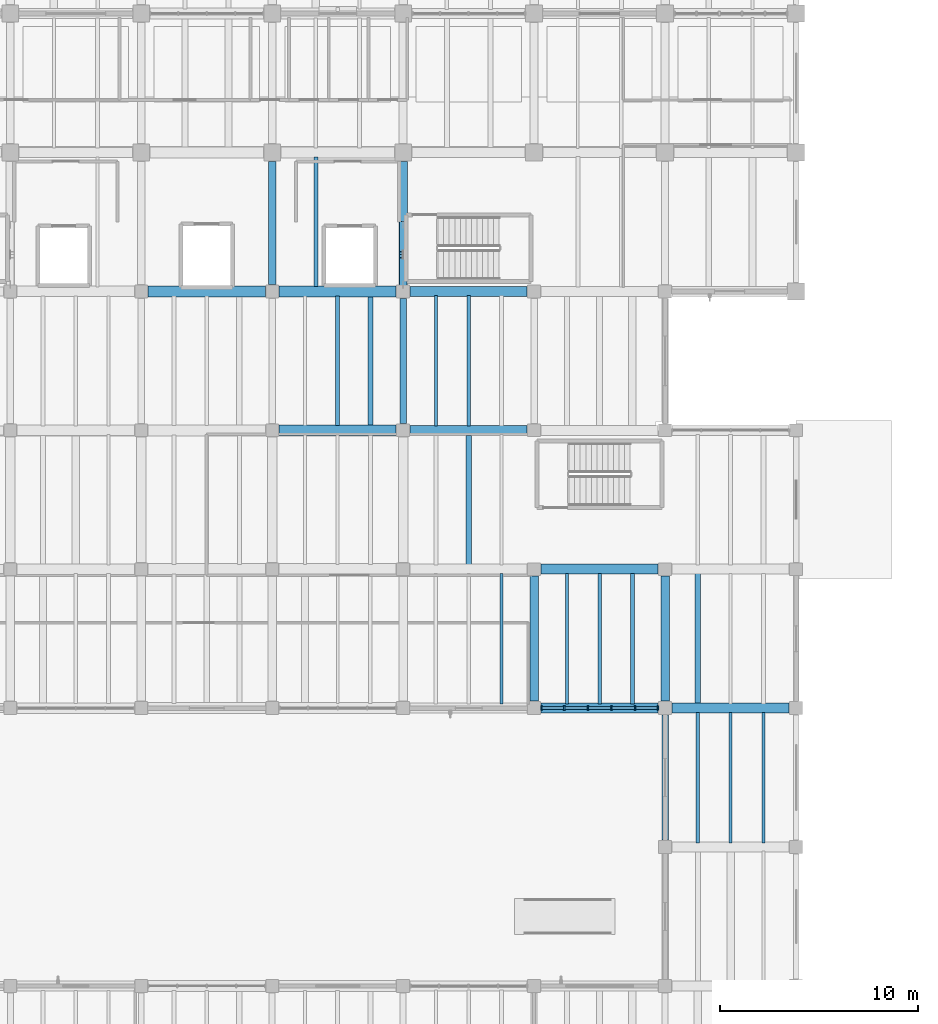
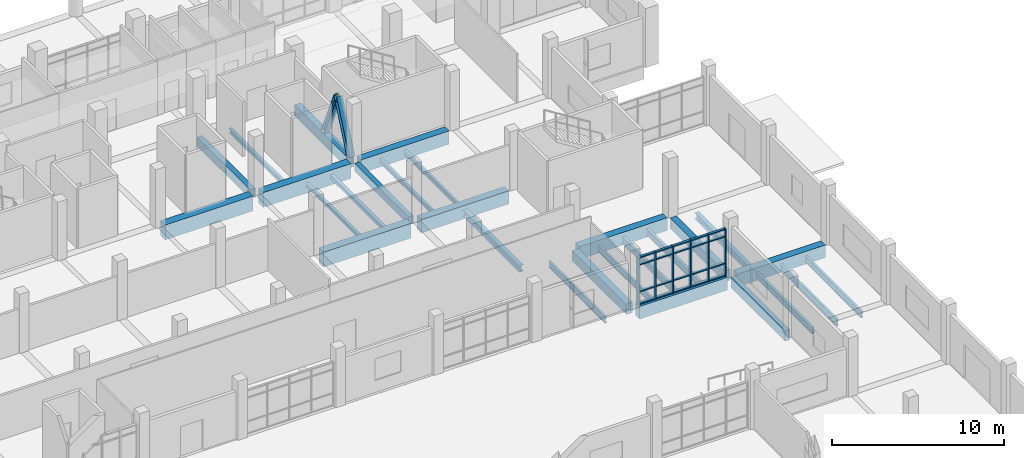
# One storey, part 26 of 69: 28 beams, 28 members, 1 element without a shape of its own.
"""IFC4 building model written with IfcOpenShell, lengths in metres."""

from ifc_helpers import new_model, si_unit, direction, frame, origin, origin_2d, place, context, subcontext, project, spatial, rectangle, i_section, extrude, material, material_profile, profile_set, type_object, element, aggregate, save


model = new_model("IFC4")

# Units and contexts
model_context = context("Model", 3, precision=1e-05, world=origin(), true_north=direction((0.0, 1.0)))
body_context = subcontext(model_context, "Body", "Model", "MODEL_VIEW")
ifc_project = project(units=[si_unit("LENGTHUNIT", "METRE"), si_unit("AREAUNIT", "SQUARE_METRE"), si_unit("VOLUMEUNIT", "CUBIC_METRE"), si_unit("PLANEANGLEUNIT", "RADIAN"), si_unit("MASSUNIT", "GRAM", prefix="KILO")], contexts=[model_context])

# Site, building, storey
site_placement = place(None, origin())
site = spatial("IfcSite", under=ifc_project, at=site_placement, CompositionType="ELEMENT")
building_placement = place(site_placement, origin())
building = spatial("IfcBuilding", under=site, at=building_placement, Name="Ciguamira Faculty of Natural Sciences", CompositionType="ELEMENT")
storey_placement = place(building_placement, origin())
storey = spatial("IfcBuildingStorey", under=building, at=storey_placement, Name="L00", CompositionType="ELEMENT", Elevation=0.0)

# Curtain wall, members
ifc_material_1 = material(Name="Anodized aluminium curtain wall", Category="aluminium")
curtain_wall_type = type_object("IfcCurtainWallType", Name="CurtainWall_CW-03", PredefinedType="USERDEFINED", material=ifc_material_1)
curtain_wall_placement = place(storey_placement, origin())
curtain_wall = element("IfcCurtainWall", 1, at=curtain_wall_placement, inside=storey, type_object=curtain_wall_type, Name="L00 unitised curtain wall 0015", ObjectType="UNITISED CURTAIN WALL", PredefinedType="USERDEFINED")
ifc_material_2 = material(Name="Anodized aluminium mullion", Category="aluminium")
ifc_material_profile_1 = material_profile(ifc_material_2, rectangle(XDim=0.080078125, YDim=0.219970703125, at=origin_2d()), Name="ALU-MUL-80X220")
ifc_profile_set_1 = profile_set([ifc_material_profile_1], Name="Anodized aluminium mullion")
member_type_1 = type_object("IfcMemberType", Name="CWMullion_CWM-03", PredefinedType="MULLION", material=ifc_profile_set_1)
member_1_placement = place(storey_placement, frame((103.864990234375, 73.0, 0.0), z_axis=(0.0, 0.0, 1.0), x_axis=(1.0, 0.0, 0.0)))
member_1 = element("IfcMember", 2, at=member_1_placement, type_object=member_type_1, Name="CW-03 mullion 1", PredefinedType="MULLION", context=body_context, shape_type="SweptSolid", body=[
    extrude(rectangle(XDim=0.080078125, YDim=0.219970703125, at=origin_2d()), origin(), (0.0, 0.0, 1.0), 3.364990234375),
])
member_2_placement = place(storey_placement, frame((105.014892578125, 73.0, 0.0), z_axis=(0.0, 0.0, 1.0), x_axis=(1.0, 0.0, 0.0)))
member_2 = element("IfcMember", 3, at=member_2_placement, type_object=member_type_1, Name="CW-03 mullion 2", PredefinedType="MULLION", context=body_context, shape_type="SweptSolid", body=[
    extrude(rectangle(XDim=0.080078125, YDim=0.219970703125, at=origin_2d()), origin(), (0.0, 0.0, 1.0), 3.364990234375),
])
member_3_placement = place(storey_placement, frame((106.205078125, 73.0, 0.0), z_axis=(0.0, 0.0, 1.0), x_axis=(1.0, 0.0, 0.0)))
member_3 = element("IfcMember", 4, at=member_3_placement, type_object=member_type_1, Name="CW-03 mullion 3", PredefinedType="MULLION", context=body_context, shape_type="SweptSolid", body=[
    extrude(rectangle(XDim=0.080078125, YDim=0.219970703125, at=origin_2d()), origin(), (0.0, 0.0, 1.0), 3.364990234375),
])
member_4_placement = place(storey_placement, frame((107.39501953125, 73.0, 0.0), z_axis=(0.0, 0.0, 1.0), x_axis=(1.0, 0.0, 0.0)))
member_4 = element("IfcMember", 5, at=member_4_placement, type_object=member_type_1, Name="CW-03 mullion 4", PredefinedType="MULLION", context=body_context, shape_type="SweptSolid", body=[
    extrude(rectangle(XDim=0.080078125, YDim=0.219970703125, at=origin_2d()), origin(), (0.0, 0.0, 1.0), 3.364990234375),
])
member_5_placement = place(storey_placement, frame((108.5849609375, 73.0, 0.0), z_axis=(0.0, 0.0, 1.0), x_axis=(1.0, 0.0, 0.0)))
member_5 = element("IfcMember", 6, at=member_5_placement, type_object=member_type_1, Name="CW-03 mullion 5", PredefinedType="MULLION", context=body_context, shape_type="SweptSolid", body=[
    extrude(rectangle(XDim=0.080078125, YDim=0.219970703125, at=origin_2d()), origin(), (0.0, 0.0, 1.0), 3.364990234375),
])
member_6_placement = place(storey_placement, frame((109.735107421875, 73.0, 0.0), z_axis=(0.0, 0.0, 1.0), x_axis=(1.0, 0.0, 0.0)))
member_6 = element("IfcMember", 7, at=member_6_placement, type_object=member_type_1, Name="CW-03 mullion 6", PredefinedType="MULLION", context=body_context, shape_type="SweptSolid", body=[
    extrude(rectangle(XDim=0.080078125, YDim=0.219970703125, at=origin_2d()), origin(), (0.0, 0.0, 1.0), 3.364990234375),
])
ifc_material_3 = material(Name="Anodized aluminium transom", Category="aluminium")
ifc_material_profile_2 = material_profile(ifc_material_3, rectangle(XDim=0.080078125, YDim=0.159912109375, at=origin_2d()), Name="ALU-TRN-80X160")
ifc_profile_set_2 = profile_set([ifc_material_profile_2], Name="Anodized aluminium transom")
member_type_2 = type_object("IfcMemberType", Name="CWTransom_CWT-03", PredefinedType="USERDEFINED", material=ifc_profile_set_2)
member_7_placement = place(storey_placement, frame((103.905029296875, 73.0, 0.0400390625), z_axis=(1.0, 0.0, 0.0), x_axis=(0.0, 0.0, 1.0)))
member_7 = element("IfcMember", 8, at=member_7_placement, type_object=member_type_2, Name="CW-03 transom 1.1", ObjectType="TRANSOM", PredefinedType="USERDEFINED", context=body_context, shape_type="SweptSolid", body=[
    extrude(rectangle(XDim=0.080078125, YDim=0.159912109375, at=origin_2d()), origin(), (0.0, 0.0, 1.0), 1.070068359375),
])
member_8_placement = place(storey_placement, frame((103.905029296875, 73.0, 0.89990234375), z_axis=(1.0, 0.0, 0.0), x_axis=(0.0, 0.0, 1.0)))
member_8 = element("IfcMember", 9, at=member_8_placement, type_object=member_type_2, Name="CW-03 transom 1.2", ObjectType="TRANSOM", PredefinedType="USERDEFINED", context=body_context, shape_type="SweptSolid", body=[
    extrude(rectangle(XDim=0.080078125, YDim=0.159912109375, at=origin_2d()), origin(), (0.0, 0.0, 1.0), 1.070068359375),
])
member_9_placement = place(storey_placement, frame((103.905029296875, 73.0, 2.81494140625), z_axis=(1.0, 0.0, 0.0), x_axis=(0.0, 0.0, 1.0)))
member_9 = element("IfcMember", 10, at=member_9_placement, type_object=member_type_2, Name="CW-03 transom 1.3", ObjectType="TRANSOM", PredefinedType="USERDEFINED", context=body_context, shape_type="SweptSolid", body=[
    extrude(rectangle(XDim=0.080078125, YDim=0.159912109375, at=origin_2d()), origin(), (0.0, 0.0, 1.0), 1.070068359375),
])
member_10_placement = place(storey_placement, frame((103.905029296875, 73.0, 3.324951171875), z_axis=(1.0, 0.0, 0.0), x_axis=(0.0, 0.0, 1.0)))
member_10 = element("IfcMember", 11, at=member_10_placement, type_object=member_type_2, Name="CW-03 transom 1.4", ObjectType="TRANSOM", PredefinedType="USERDEFINED", context=body_context, shape_type="SweptSolid", body=[
    extrude(rectangle(XDim=0.080078125, YDim=0.159912109375, at=origin_2d()), origin(), (0.0, 0.0, 1.0), 1.070068359375),
])
member_11_placement = place(storey_placement, frame((105.054931640625, 73.0, 0.0400390625), z_axis=(1.0, 0.0, 0.0), x_axis=(0.0, 0.0, 1.0)))
member_11 = element("IfcMember", 12, at=member_11_placement, type_object=member_type_2, Name="CW-03 transom 2.1", ObjectType="TRANSOM", PredefinedType="USERDEFINED", context=body_context, shape_type="SweptSolid", body=[
    extrude(rectangle(XDim=0.080078125, YDim=0.159912109375, at=origin_2d()), origin(), (0.0, 0.0, 1.0), 1.110107421875),
])
member_12_placement = place(storey_placement, frame((105.054931640625, 73.0, 0.89990234375), z_axis=(1.0, 0.0, 0.0), x_axis=(0.0, 0.0, 1.0)))
member_12 = element("IfcMember", 13, at=member_12_placement, type_object=member_type_2, Name="CW-03 transom 2.2", ObjectType="TRANSOM", PredefinedType="USERDEFINED", context=body_context, shape_type="SweptSolid", body=[
    extrude(rectangle(XDim=0.080078125, YDim=0.159912109375, at=origin_2d()), origin(), (0.0, 0.0, 1.0), 1.110107421875),
])
member_13_placement = place(storey_placement, frame((105.054931640625, 73.0, 2.81494140625), z_axis=(1.0, 0.0, 0.0), x_axis=(0.0, 0.0, 1.0)))
member_13 = element("IfcMember", 14, at=member_13_placement, type_object=member_type_2, Name="CW-03 transom 2.3", ObjectType="TRANSOM", PredefinedType="USERDEFINED", context=body_context, shape_type="SweptSolid", body=[
    extrude(rectangle(XDim=0.080078125, YDim=0.159912109375, at=origin_2d()), origin(), (0.0, 0.0, 1.0), 1.110107421875),
])
member_14_placement = place(storey_placement, frame((105.054931640625, 73.0, 3.324951171875), z_axis=(1.0, 0.0, 0.0), x_axis=(0.0, 0.0, 1.0)))
member_14 = element("IfcMember", 15, at=member_14_placement, type_object=member_type_2, Name="CW-03 transom 2.4", ObjectType="TRANSOM", PredefinedType="USERDEFINED", context=body_context, shape_type="SweptSolid", body=[
    extrude(rectangle(XDim=0.080078125, YDim=0.159912109375, at=origin_2d()), origin(), (0.0, 0.0, 1.0), 1.110107421875),
])
member_15_placement = place(storey_placement, frame((106.2451171875, 73.0, 0.0400390625), z_axis=(1.0, 0.0, 0.0), x_axis=(0.0, 0.0, 1.0)))
member_15 = element("IfcMember", 16, at=member_15_placement, type_object=member_type_2, Name="CW-03 transom 3.1", ObjectType="TRANSOM", PredefinedType="USERDEFINED", context=body_context, shape_type="SweptSolid", body=[
    extrude(rectangle(XDim=0.080078125, YDim=0.159912109375, at=origin_2d()), origin(), (0.0, 0.0, 1.0), 1.10986328125),
])
member_16_placement = place(storey_placement, frame((106.2451171875, 73.0, 0.89990234375), z_axis=(1.0, 0.0, 0.0), x_axis=(0.0, 0.0, 1.0)))
member_16 = element("IfcMember", 17, at=member_16_placement, type_object=member_type_2, Name="CW-03 transom 3.2", ObjectType="TRANSOM", PredefinedType="USERDEFINED", context=body_context, shape_type="SweptSolid", body=[
    extrude(rectangle(XDim=0.080078125, YDim=0.159912109375, at=origin_2d()), origin(), (0.0, 0.0, 1.0), 1.10986328125),
])
member_17_placement = place(storey_placement, frame((106.2451171875, 73.0, 2.81494140625), z_axis=(1.0, 0.0, 0.0), x_axis=(0.0, 0.0, 1.0)))
member_17 = element("IfcMember", 18, at=member_17_placement, type_object=member_type_2, Name="CW-03 transom 3.3", ObjectType="TRANSOM", PredefinedType="USERDEFINED", context=body_context, shape_type="SweptSolid", body=[
    extrude(rectangle(XDim=0.080078125, YDim=0.159912109375, at=origin_2d()), origin(), (0.0, 0.0, 1.0), 1.10986328125),
])
member_18_placement = place(storey_placement, frame((106.2451171875, 73.0, 3.324951171875), z_axis=(1.0, 0.0, 0.0), x_axis=(0.0, 0.0, 1.0)))
member_18 = element("IfcMember", 19, at=member_18_placement, type_object=member_type_2, Name="CW-03 transom 3.4", ObjectType="TRANSOM", PredefinedType="USERDEFINED", context=body_context, shape_type="SweptSolid", body=[
    extrude(rectangle(XDim=0.080078125, YDim=0.159912109375, at=origin_2d()), origin(), (0.0, 0.0, 1.0), 1.10986328125),
])
member_19_placement = place(storey_placement, frame((107.43505859375, 73.0, 0.0400390625), z_axis=(1.0, 0.0, 0.0), x_axis=(0.0, 0.0, 1.0)))
member_19 = element("IfcMember", 20, at=member_19_placement, type_object=member_type_2, Name="CW-03 transom 4.1", ObjectType="TRANSOM", PredefinedType="USERDEFINED", context=body_context, shape_type="SweptSolid", body=[
    extrude(rectangle(XDim=0.080078125, YDim=0.159912109375, at=origin_2d()), origin(), (0.0, 0.0, 1.0), 1.10986328125),
])
member_20_placement = place(storey_placement, frame((107.43505859375, 73.0, 0.89990234375), z_axis=(1.0, 0.0, 0.0), x_axis=(0.0, 0.0, 1.0)))
member_20 = element("IfcMember", 21, at=member_20_placement, type_object=member_type_2, Name="CW-03 transom 4.2", ObjectType="TRANSOM", PredefinedType="USERDEFINED", context=body_context, shape_type="SweptSolid", body=[
    extrude(rectangle(XDim=0.080078125, YDim=0.159912109375, at=origin_2d()), origin(), (0.0, 0.0, 1.0), 1.10986328125),
])
member_21_placement = place(storey_placement, frame((107.43505859375, 73.0, 2.81494140625), z_axis=(1.0, 0.0, 0.0), x_axis=(0.0, 0.0, 1.0)))
member_21 = element("IfcMember", 22, at=member_21_placement, type_object=member_type_2, Name="CW-03 transom 4.3", ObjectType="TRANSOM", PredefinedType="USERDEFINED", context=body_context, shape_type="SweptSolid", body=[
    extrude(rectangle(XDim=0.080078125, YDim=0.159912109375, at=origin_2d()), origin(), (0.0, 0.0, 1.0), 1.10986328125),
])
member_22_placement = place(storey_placement, frame((107.43505859375, 73.0, 3.324951171875), z_axis=(1.0, 0.0, 0.0), x_axis=(0.0, 0.0, 1.0)))
member_22 = element("IfcMember", 23, at=member_22_placement, type_object=member_type_2, Name="CW-03 transom 4.4", ObjectType="TRANSOM", PredefinedType="USERDEFINED", context=body_context, shape_type="SweptSolid", body=[
    extrude(rectangle(XDim=0.080078125, YDim=0.159912109375, at=origin_2d()), origin(), (0.0, 0.0, 1.0), 1.10986328125),
])
member_23_placement = place(storey_placement, frame((108.625, 73.0, 0.0400390625), z_axis=(1.0, 0.0, 0.0), x_axis=(0.0, 0.0, 1.0)))
member_23 = element("IfcMember", 24, at=member_23_placement, type_object=member_type_2, Name="CW-03 transom 5.1", ObjectType="TRANSOM", PredefinedType="USERDEFINED", context=body_context, shape_type="SweptSolid", body=[
    extrude(rectangle(XDim=0.080078125, YDim=0.159912109375, at=origin_2d()), origin(), (0.0, 0.0, 1.0), 1.070068359375),
])
member_24_placement = place(storey_placement, frame((108.625, 73.0, 0.89990234375), z_axis=(1.0, 0.0, 0.0), x_axis=(0.0, 0.0, 1.0)))
member_24 = element("IfcMember", 25, at=member_24_placement, type_object=member_type_2, Name="CW-03 transom 5.2", ObjectType="TRANSOM", PredefinedType="USERDEFINED", context=body_context, shape_type="SweptSolid", body=[
    extrude(rectangle(XDim=0.080078125, YDim=0.159912109375, at=origin_2d()), origin(), (0.0, 0.0, 1.0), 1.070068359375),
])
member_25_placement = place(storey_placement, frame((108.625, 73.0, 2.81494140625), z_axis=(1.0, 0.0, 0.0), x_axis=(0.0, 0.0, 1.0)))
member_25 = element("IfcMember", 26, at=member_25_placement, type_object=member_type_2, Name="CW-03 transom 5.3", ObjectType="TRANSOM", PredefinedType="USERDEFINED", context=body_context, shape_type="SweptSolid", body=[
    extrude(rectangle(XDim=0.080078125, YDim=0.159912109375, at=origin_2d()), origin(), (0.0, 0.0, 1.0), 1.070068359375),
])
member_26_placement = place(storey_placement, frame((108.625, 73.0, 3.324951171875), z_axis=(1.0, 0.0, 0.0), x_axis=(0.0, 0.0, 1.0)))
member_26 = element("IfcMember", 27, at=member_26_placement, type_object=member_type_2, Name="CW-03 transom 5.4", ObjectType="TRANSOM", PredefinedType="USERDEFINED", context=body_context, shape_type="SweptSolid", body=[
    extrude(rectangle(XDim=0.080078125, YDim=0.159912109375, at=origin_2d()), origin(), (0.0, 0.0, 1.0), 1.070068359375),
])
aggregate(curtain_wall, [member_1, member_2, member_3, member_4, member_5, member_6, member_7, member_8, member_9, member_10, member_11, member_12, member_13, member_14, member_15, member_16, member_17, member_18, member_19, member_20, member_21, member_22, member_23, member_24, member_25, member_26])

# Beams
ifc_material_4 = material(Name="Concrete C40/50", Category="concrete")
ifc_material_profile_3 = material_profile(ifc_material_4, rectangle(XDim=0.550048828125, YDim=1.050048828125, at=origin_2d()), Name="RC-BM-550X1050")
ifc_profile_set_3 = profile_set([ifc_material_profile_3], Name="Concrete C40/50")
beam_type_1 = type_object("IfcBeamType", Name="RCBeam_BG-01_RC-BM-550X1050", PredefinedType="BEAM", material=ifc_profile_set_3)
beam_1_placement = place(storey_placement, frame((90.64990234375, 87.0, -0.52490234375), z_axis=(1.0, 0.0, 0.0), x_axis=(0.0, 1.0, 0.0)))
element("IfcBeam", 28, at=beam_1_placement, inside=storey, type_object=beam_type_1, Name="L00 RC girder EW-0152", PredefinedType="BEAM", context=body_context, shape_type="SweptSolid", body=[
    extrude(rectangle(XDim=0.550048828125, YDim=1.050048828125, at=origin_2d()), origin(), (0.0, 0.0, 1.0), 5.900146484375),
])
beam_2_placement = place(storey_placement, frame((84.050048828125, 94.0, -0.52490234375), z_axis=(1.0, 0.0, 0.0), x_axis=(0.0, 1.0, 0.0)))
element("IfcBeam", 29, at=beam_2_placement, inside=storey, type_object=beam_type_1, Name="L00 RC girder EW-0160", PredefinedType="BEAM", context=body_context, shape_type="SweptSolid", body=[
    extrude(rectangle(XDim=0.550048828125, YDim=1.050048828125, at=origin_2d()), origin(), (0.0, 0.0, 1.0), 5.89990234375),
])
beam_3_placement = place(storey_placement, frame((90.64990234375, 94.0, -0.52490234375), z_axis=(1.0, 0.0, 0.0), x_axis=(0.0, 1.0, 0.0)))
element("IfcBeam", 30, at=beam_3_placement, inside=storey, type_object=beam_type_1, Name="L00 RC girder EW-0161", PredefinedType="BEAM", context=body_context, shape_type="SweptSolid", body=[
    extrude(rectangle(XDim=0.550048828125, YDim=1.050048828125, at=origin_2d()), origin(), (0.0, 0.0, 1.0), 5.900146484375),
])
ifc_material_profile_4 = material_profile(ifc_material_4, rectangle(XDim=0.5, YDim=0.949951171875, at=origin_2d()), Name="RC-BM-500X950")
ifc_profile_set_4 = profile_set([ifc_material_profile_4], Name="Concrete C40/50")
beam_type_2 = type_object("IfcBeamType", Name="RCBeam_BG-02_RC-BM-500X950", PredefinedType="BEAM", material=ifc_profile_set_4)
for number, where, z_axis, x_axis, name in (
    (31, (97.25, 87.0, -0.47509765625), (1.0, 0.0, 0.0), (0.0, 1.0, 0.0), "L00 RC girder EW-0153"),
    (32, (97.25, 94.0, -0.47509765625), (1.0, 0.0, 0.0), (0.0, 1.0, 0.0), "L00 RC girder EW-0162"),
):
    element("IfcBeam", number, at=place(storey_placement, frame(where, z_axis=z_axis, x_axis=x_axis)), inside=storey, type_object=beam_type_2, Name=name, PredefinedType="BEAM", context=body_context, shape_type="SweptSolid", body=[
        extrude(rectangle(XDim=0.5, YDim=0.949951171875, at=origin_2d()), origin(), (0.0, 0.0, 1.0), 5.89990234375),
    ])
ifc_material_profile_5 = material_profile(ifc_material_4, rectangle(XDim=0.5, YDim=0.89990234375, at=origin_2d()), Name="RC-BM-500X900")
ifc_profile_set_5 = profile_set([ifc_material_profile_5], Name="Concrete C40/50")
beam_type_3 = type_object("IfcBeamType", Name="RCBeam_BG-03_RC-BM-500X900", PredefinedType="BEAM", material=ifc_profile_set_5)
beam_4_placement = place(storey_placement, frame((103.85009765625, 73.0, -0.449951171875), z_axis=(1.0, 0.0, 0.0), x_axis=(0.0, 1.0, 0.0)))
element("IfcBeam", 33, at=beam_4_placement, inside=storey, type_object=beam_type_3, Name="L00 RC girder EW-0136", PredefinedType="BEAM", context=body_context, shape_type="SweptSolid", body=[
    extrude(rectangle(XDim=0.5, YDim=0.89990234375, at=origin_2d()), origin(), (0.0, 0.0, 1.0), 5.89990234375),
])
beam_5_placement = place(storey_placement, frame((110.449951171875, 73.0, -0.449951171875), z_axis=(1.0, 0.0, 0.0), x_axis=(0.0, 1.0, 0.0)))
element("IfcBeam", 34, at=beam_5_placement, inside=storey, type_object=beam_type_3, Name="L00 RC girder EW-0137", PredefinedType="BEAM", context=body_context, shape_type="SweptSolid", body=[
    extrude(rectangle(XDim=0.5, YDim=0.89990234375, at=origin_2d()), origin(), (0.0, 0.0, 1.0), 5.900146484375),
])
beam_6_placement = place(storey_placement, frame((103.85009765625, 80.0, -0.449951171875), z_axis=(1.0, 0.0, 0.0), x_axis=(0.0, 1.0, 0.0)))
element("IfcBeam", 35, at=beam_6_placement, inside=storey, type_object=beam_type_3, Name="L00 RC girder EW-0145", PredefinedType="BEAM", context=body_context, shape_type="SweptSolid", body=[
    extrude(rectangle(XDim=0.5, YDim=0.89990234375, at=origin_2d()), origin(), (0.0, 0.0, 1.0), 5.89990234375),
])
ifc_material_profile_6 = material_profile(ifc_material_4, rectangle(XDim=0.43994140625, YDim=0.780029296875, at=origin_2d()), Name="RC-BM-440X780")
ifc_profile_set_6 = profile_set([ifc_material_profile_6], Name="Concrete C40/50")
beam_type_4 = type_object("IfcBeamType", Name="RCBeam_BG-06_RC-BM-440X780", PredefinedType="BEAM", material=ifc_profile_set_6)
beam_7_placement = place(storey_placement, frame((96.89990234375, 94.35009765625, -0.389892578125), z_axis=(0.0, 1.0, 0.0), x_axis=(-1.0, 0.0, 0.0)))
element("IfcBeam", 36, at=beam_7_placement, inside=storey, type_object=beam_type_4, Name="L00 core-end brace tie girder 96", PredefinedType="BEAM", context=body_context, shape_type="SweptSolid", body=[
    extrude(rectangle(XDim=0.43994140625, YDim=0.780029296875, at=origin_2d()), origin(), (0.0, 0.0, 1.0), 6.199951171875),
])
ifc_material_profile_7 = material_profile(ifc_material_4, rectangle(XDim=0.419921875, YDim=0.739990234375, at=origin_2d()), Name="RC-BM-420X740")
ifc_profile_set_7 = profile_set([ifc_material_profile_7], Name="Concrete C40/50")
beam_type_5 = type_object("IfcBeamType", Name="RCBeam_BG-07_RC-BM-420X740", PredefinedType="BEAM", material=ifc_profile_set_7)
for number, where, z_axis, x_axis, name in (
    (37, (103.5, 73.35009765625, -0.3701171875), (0.0, 1.0, 0.0), (-1.0, 0.0, 0.0), "L00 girder NS-0307"),
    (38, (110.10009765625, 73.35009765625, -0.3701171875), (0.0, 1.0, 0.0), (-1.0, 0.0, 0.0), "L00 girder NS-0320"),
):
    element("IfcBeam", number, at=place(storey_placement, frame(where, z_axis=z_axis, x_axis=x_axis)), inside=storey, type_object=beam_type_5, Name=name, PredefinedType="BEAM", context=body_context, shape_type="SweptSolid", body=[
        extrude(rectangle(XDim=0.419921875, YDim=0.739990234375, at=origin_2d()), origin(), (0.0, 0.0, 1.0), 6.2998046875),
    ])
ifc_material_profile_8 = material_profile(ifc_material_4, rectangle(XDim=0.360107421875, YDim=0.639892578125, at=origin_2d()), Name="RC-BM-360X640")
ifc_profile_set_8 = profile_set([ifc_material_profile_8], Name="Concrete C40/50")
beam_type_6 = type_object("IfcBeamType", Name="RCBeam_BG-10_RC-BM-360X640", PredefinedType="BEAM", material=ifc_profile_set_8)
beam_8_placement = place(storey_placement, frame((90.300048828125, 94.35009765625, -0.320068359375), z_axis=(0.0, 1.0, 0.0), x_axis=(-1.0, 0.0, 0.0)))
element("IfcBeam", 39, at=beam_8_placement, inside=storey, type_object=beam_type_6, Name="L00 girder NS-0286", PredefinedType="BEAM", context=body_context, shape_type="SweptSolid", body=[
    extrude(rectangle(XDim=0.360107421875, YDim=0.639892578125, at=origin_2d()), origin(), (0.0, 0.0, 1.0), 6.199951171875),
])
ifc_material_profile_9 = material_profile(ifc_material_4, rectangle(XDim=0.320068359375, YDim=0.56005859375, at=origin_2d()), Name="RC-BM-320X560")
ifc_profile_set_9 = profile_set([ifc_material_profile_9], Name="Concrete C40/50")
beam_type_7 = type_object("IfcBeamType", Name="RCBeam_BG-12_RC-BM-320X560", PredefinedType="BEAM", material=ifc_profile_set_9)
beam_9_placement = place(storey_placement, frame((96.89990234375, 87.35009765625, -0.280029296875), z_axis=(0.0, 1.0, 0.0), x_axis=(-1.0, 0.0, 0.0)))
element("IfcBeam", 40, at=beam_9_placement, inside=storey, type_object=beam_type_7, Name="L00 girder NS-0297", PredefinedType="BEAM", context=body_context, shape_type="SweptSolid", body=[
    extrude(rectangle(XDim=0.320068359375, YDim=0.56005859375, at=origin_2d()), origin(), (0.0, 0.0, 1.0), 6.2998046875),
])
ifc_material_5 = material(Name="Precast concrete C40/50", Category="concrete")
ifc_material_profile_10 = material_profile(ifc_material_5, rectangle(XDim=0.340087890625, YDim=0.719970703125, at=origin_2d()), Name="RC-SP-340X720")
ifc_profile_set_10 = profile_set([ifc_material_profile_10], Name="Precast concrete C40/50")
beam_type_8 = type_object("IfcBeamType", Name="RCBeam_SP-03_RC-SP-340X720", PredefinedType="SPANDREL", material=ifc_profile_set_10)
beam_10_placement = place(storey_placement, frame((110.10009765625, 66.35009765625, -0.360107421875), z_axis=(0.0, 1.0, 0.0), x_axis=(-1.0, 0.0, 0.0)))
element("IfcBeam", 41, at=beam_10_placement, inside=storey, type_object=beam_type_8, Name="L00 girder NS-0319", PredefinedType="SPANDREL", context=body_context, shape_type="SweptSolid", body=[
    extrude(rectangle(XDim=0.340087890625, YDim=0.719970703125, at=origin_2d()), origin(), (0.0, 0.0, 1.0), 6.2998046875),
])
ifc_material_6 = material(Name="Steel ASTM A992 Grade 50", Category="steel")
ifc_material_profile_11 = material_profile(ifc_material_6, i_section(OverallWidth=0.2021484375, OverallDepth=0.2470703125, WebThickness=0.00732421875, FlangeThickness=0.010986328125, at=origin_2d()), Name="W10X33")
ifc_profile_set_11 = profile_set([ifc_material_profile_11], Name="Steel ASTM A992 Grade 50")
beam_type_9 = type_object("IfcBeamType", Name="SteelJoist_SJ-02_W10X33", PredefinedType="JOIST", material=ifc_profile_set_11)
beam_11_placement = place(storey_placement, frame((93.60009765625, 87.235107421875, -0.423583984375), z_axis=(0.0, 1.0, 0.0), x_axis=(-1.0, 0.0, 0.0)))
element("IfcBeam", 42, at=beam_11_placement, inside=storey, type_object=beam_type_9, Name="L00 composite steel joist 00216", PredefinedType="JOIST", context=body_context, shape_type="SweptSolid", body=[
    extrude(i_section(OverallWidth=0.2021484375, OverallDepth=0.2470703125, WebThickness=0.00732421875, FlangeThickness=0.010986328125, at=origin_2d()), origin(), (0.0, 0.0, 1.0), 6.52978515625),
])
ifc_material_profile_12 = material_profile(ifc_material_6, i_section(OverallWidth=0.25390625, OverallDepth=0.25390625, WebThickness=0.008544921875, FlangeThickness=0.01416015625, at=origin_2d()), Name="W10X49")
ifc_profile_set_12 = profile_set([ifc_material_profile_12], Name="Steel ASTM A992 Grade 50")
beam_type_10 = type_object("IfcBeamType", Name="SteelJoist_SJ-03_W10X49", PredefinedType="JOIST", material=ifc_profile_set_12)
beam_12_placement = place(storey_placement, frame((95.25, 87.235107421875, -0.427001953125), z_axis=(0.0, 1.0, 0.0), x_axis=(-1.0, 0.0, 0.0)))
element("IfcBeam", 43, at=beam_12_placement, inside=storey, type_object=beam_type_10, Name="L00 composite steel joist 00217", PredefinedType="JOIST", context=body_context, shape_type="SweptSolid", body=[
    extrude(i_section(OverallWidth=0.25390625, OverallDepth=0.25390625, WebThickness=0.008544921875, FlangeThickness=0.01416015625, at=origin_2d()), origin(), (0.0, 0.0, 1.0), 6.52978515625),
])
ifc_material_profile_13 = material_profile(ifc_material_6, i_section(OverallWidth=0.164794921875, OverallDepth=0.309814453125, WebThickness=0.005859375, FlangeThickness=0.009765625, at=origin_2d()), Name="W12X26")
ifc_profile_set_13 = profile_set([ifc_material_profile_13], Name="Steel ASTM A992 Grade 50")
beam_type_11 = type_object("IfcBeamType", Name="SteelJoist_SJ-04_W12X26", PredefinedType="JOIST", material=ifc_profile_set_13)
beam_13_placement = place(storey_placement, frame((98.550048828125, 87.2099609375, -0.454833984375), z_axis=(0.0, 1.0, 0.0), x_axis=(-1.0, 0.0, 0.0)))
element("IfcBeam", 44, at=beam_13_placement, inside=storey, type_object=beam_type_11, Name="L00 composite steel joist 00241", PredefinedType="JOIST", context=body_context, shape_type="SweptSolid", body=[
    extrude(i_section(OverallWidth=0.164794921875, OverallDepth=0.309814453125, WebThickness=0.005859375, FlangeThickness=0.009765625, at=origin_2d()), origin(), (0.0, 0.0, 1.0), 6.580078125),
])
ifc_material_profile_14 = material_profile(ifc_material_6, i_section(OverallWidth=0.16650390625, OverallDepth=0.3173828125, WebThickness=0.007568359375, FlangeThickness=0.01318359375, at=origin_2d()), Name="W12X35")
ifc_profile_set_14 = profile_set([ifc_material_profile_14], Name="Steel ASTM A992 Grade 50")
beam_type_12 = type_object("IfcBeamType", Name="SteelJoist_SJ-05_W12X35", PredefinedType="JOIST", material=ifc_profile_set_14)
beam_14_placement = place(storey_placement, frame((100.199951171875, 87.2099609375, -0.458740234375), z_axis=(0.0, 1.0, 0.0), x_axis=(-1.0, 0.0, 0.0)))
element("IfcBeam", 45, at=beam_14_placement, inside=storey, type_object=beam_type_12, Name="L00 composite steel joist 00242", PredefinedType="JOIST", context=body_context, shape_type="SweptSolid", body=[
    extrude(i_section(OverallWidth=0.16650390625, OverallDepth=0.3173828125, WebThickness=0.007568359375, FlangeThickness=0.01318359375, at=origin_2d()), origin(), (0.0, 0.0, 1.0), 6.580078125),
])
ifc_material_profile_15 = material_profile(ifc_material_6, i_section(OverallWidth=0.20458984375, OverallDepth=0.307373046875, WebThickness=0.008544921875, FlangeThickness=0.0146484375, at=origin_2d()), Name="W12X45")
ifc_profile_set_15 = profile_set([ifc_material_profile_15], Name="Steel ASTM A992 Grade 50")
beam_type_13 = type_object("IfcBeamType", Name="SteelJoist_SJ-06_W12X45", PredefinedType="JOIST", material=ifc_profile_set_15)
beam_15_placement = place(storey_placement, frame((92.5, 94.235107421875, -0.45361328125), z_axis=(0.0, 1.0, 0.0), x_axis=(-1.0, 0.0, 0.0)))
element("IfcBeam", 46, at=beam_15_placement, inside=storey, type_object=beam_type_13, Name="L00 composite steel joist 00218", PredefinedType="JOIST", context=body_context, shape_type="SweptSolid", body=[
    extrude(i_section(OverallWidth=0.20458984375, OverallDepth=0.307373046875, WebThickness=0.008544921875, FlangeThickness=0.0146484375, at=origin_2d()), origin(), (0.0, 0.0, 1.0), 6.52978515625),
])
ifc_material_profile_16 = material_profile(ifc_material_6, i_section(OverallWidth=0.180908203125, OverallDepth=0.41650390625, WebThickness=0.010986328125, FlangeThickness=0.01806640625, at=origin_2d()), Name="W16X57")
ifc_profile_set_16 = profile_set([ifc_material_profile_16], Name="Steel ASTM A992 Grade 50")
beam_type_14 = type_object("IfcBeamType", Name="SteelJoist_SJ-20_W16X57", PredefinedType="JOIST", material=ifc_profile_set_16)
beam_16_placement = place(storey_placement, frame((111.75, 66.2099609375, -0.50830078125), z_axis=(0.0, 1.0, 0.0), x_axis=(-1.0, 0.0, 0.0)))
element("IfcBeam", 47, at=beam_16_placement, inside=storey, type_object=beam_type_14, Name="L00 composite steel joist 00290", PredefinedType="JOIST", context=body_context, shape_type="SweptSolid", body=[
    extrude(i_section(OverallWidth=0.180908203125, OverallDepth=0.41650390625, WebThickness=0.010986328125, FlangeThickness=0.01806640625, at=origin_2d()), origin(), (0.0, 0.0, 1.0), 6.580078125),
])
ifc_material_profile_17 = material_profile(ifc_material_6, i_section(OverallWidth=0.15234375, OverallDepth=0.449462890625, WebThickness=0.007568359375, FlangeThickness=0.0107421875, at=origin_2d()), Name="W18X35")
ifc_profile_set_17 = profile_set([ifc_material_profile_17], Name="Steel ASTM A992 Grade 50")
beam_type_15 = type_object("IfcBeamType", Name="SteelJoist_SJ-21_W18X35", PredefinedType="JOIST", material=ifc_profile_set_17)
for number, where, z_axis, x_axis, name in (
    (48, (101.85009765625, 73.2099609375, -0.52490234375), (0.0, 1.0, 0.0), (-1.0, 0.0, 0.0), "L00 composite steel joist 00237"),
    (49, (113.39990234375, 66.2099609375, -0.52490234375), (0.0, 1.0, 0.0), (-1.0, 0.0, 0.0), "L00 composite steel joist 00291"),
):
    element("IfcBeam", number, at=place(storey_placement, frame(where, z_axis=z_axis, x_axis=x_axis)), inside=storey, type_object=beam_type_15, Name=name, PredefinedType="JOIST", context=body_context, shape_type="SweptSolid", body=[
        extrude(i_section(OverallWidth=0.15234375, OverallDepth=0.449462890625, WebThickness=0.007568359375, FlangeThickness=0.0107421875, at=origin_2d()), origin(), (0.0, 0.0, 1.0), 6.580078125),
    ])
ifc_material_profile_18 = material_profile(ifc_material_6, i_section(OverallWidth=0.15283203125, OverallDepth=0.45458984375, WebThickness=0.008056640625, FlangeThickness=0.013427734375, at=origin_2d()), Name="W18X40")
ifc_profile_set_18 = profile_set([ifc_material_profile_18], Name="Steel ASTM A992 Grade 50")
beam_type_16 = type_object("IfcBeamType", Name="SteelJoist_SJ-22_W18X40", PredefinedType="JOIST", material=ifc_profile_set_18)
for number, where, z_axis, x_axis, name in (
    (50, (105.14990234375, 73.2099609375, -0.52734375), (0.0, 1.0, 0.0), (-1.0, 0.0, 0.0), "L00 composite steel joist 00263"),
    (51, (115.050048828125, 66.2099609375, -0.52734375), (0.0, 1.0, 0.0), (-1.0, 0.0, 0.0), "L00 composite steel joist 00292"),
):
    element("IfcBeam", number, at=place(storey_placement, frame(where, z_axis=z_axis, x_axis=x_axis)), inside=storey, type_object=beam_type_16, Name=name, PredefinedType="JOIST", context=body_context, shape_type="SweptSolid", body=[
        extrude(i_section(OverallWidth=0.15283203125, OverallDepth=0.45458984375, WebThickness=0.008056640625, FlangeThickness=0.013427734375, at=origin_2d()), origin(), (0.0, 0.0, 1.0), 6.580078125),
    ])
ifc_material_profile_19 = material_profile(ifc_material_6, i_section(OverallWidth=0.1904296875, OverallDepth=0.457275390625, WebThickness=0.009033203125, FlangeThickness=0.014404296875, at=origin_2d()), Name="W18X50")
ifc_profile_set_19 = profile_set([ifc_material_profile_19], Name="Steel ASTM A992 Grade 50")
beam_type_17 = type_object("IfcBeamType", Name="SteelJoist_SJ-23_W18X50", PredefinedType="JOIST", material=ifc_profile_set_19)
beam_17_placement = place(storey_placement, frame((106.800048828125, 73.2099609375, -0.528564453125), z_axis=(0.0, 1.0, 0.0), x_axis=(-1.0, 0.0, 0.0)))
element("IfcBeam", 52, at=beam_17_placement, inside=storey, type_object=beam_type_17, Name="L00 composite steel joist 00264", PredefinedType="JOIST", context=body_context, shape_type="SweptSolid", body=[
    extrude(i_section(OverallWidth=0.1904296875, OverallDepth=0.457275390625, WebThickness=0.009033203125, FlangeThickness=0.014404296875, at=origin_2d()), origin(), (0.0, 0.0, 1.0), 6.580078125),
])
ifc_material_profile_20 = material_profile(ifc_material_6, i_section(OverallWidth=0.19287109375, OverallDepth=0.46728515625, WebThickness=0.011474609375, FlangeThickness=0.01904296875, at=origin_2d()), Name="W18X65")
ifc_profile_set_20 = profile_set([ifc_material_profile_20], Name="Steel ASTM A992 Grade 50")
beam_type_18 = type_object("IfcBeamType", Name="SteelJoist_SJ-24_W18X65", PredefinedType="JOIST", material=ifc_profile_set_20)
beam_18_placement = place(storey_placement, frame((108.449951171875, 73.2099609375, -0.53369140625), z_axis=(0.0, 1.0, 0.0), x_axis=(-1.0, 0.0, 0.0)))
element("IfcBeam", 53, at=beam_18_placement, inside=storey, type_object=beam_type_18, Name="L00 composite steel joist 00265", PredefinedType="JOIST", context=body_context, shape_type="SweptSolid", body=[
    extrude(i_section(OverallWidth=0.19287109375, OverallDepth=0.46728515625, WebThickness=0.011474609375, FlangeThickness=0.01904296875, at=origin_2d()), origin(), (0.0, 0.0, 1.0), 6.580078125),
])
ifc_material_profile_21 = material_profile(ifc_material_6, i_section(OverallWidth=0.279296875, OverallDepth=0.462158203125, WebThickness=0.0107421875, FlangeThickness=0.017333984375, at=origin_2d()), Name="W18X76")
ifc_profile_set_21 = profile_set([ifc_material_profile_21], Name="Steel ASTM A992 Grade 50")
beam_type_19 = type_object("IfcBeamType", Name="SteelJoist_SJ-25_W18X76", PredefinedType="JOIST", material=ifc_profile_set_21)
for number, where, z_axis, x_axis, name in (
    (54, (100.199951171875, 80.2099609375, -0.531005859375), (0.0, 1.0, 0.0), (-1.0, 0.0, 0.0), "L00 composite steel joist 00239"),
    (55, (111.75, 73.2099609375, -0.531005859375), (0.0, 1.0, 0.0), (-1.0, 0.0, 0.0), "L00 composite steel joist 00293"),
):
    element("IfcBeam", number, at=place(storey_placement, frame(where, z_axis=z_axis, x_axis=x_axis)), inside=storey, type_object=beam_type_19, Name=name, PredefinedType="JOIST", context=body_context, shape_type="SweptSolid", body=[
        extrude(i_section(OverallWidth=0.279296875, OverallDepth=0.462158203125, WebThickness=0.0107421875, FlangeThickness=0.017333984375, at=origin_2d()), origin(), (0.0, 0.0, 1.0), 6.580078125),
    ])

# Members
ifc_material_profile_22 = material_profile(ifc_material_6, i_section(OverallWidth=0.373291015625, OverallDepth=0.373291015625, WebThickness=0.016357421875, FlangeThickness=0.026123046875, at=origin_2d()), Name="W14X132")
ifc_profile_set_22 = profile_set([ifc_material_profile_22], Name="Steel ASTM A992 Grade 50")
member_type_3 = type_object("IfcMemberType", Name="SteelMember_BR-03_W14X132", PredefinedType="BRACE", material=ifc_profile_set_22)
for number, where, z_axis, x_axis, name in (
    (56, (96.89990234375, 94.35009765625, 0.0), (0.0, 0.401669190317, 0.915784833653), (-1.0, 0.0, 0.0), "L00 lateral chevron brace 007"),
    (57, (96.89990234375, 97.35009765625, 0.0), (0.0, -0.401669190317, 0.915784833653), (1.0, 0.0, 0.0), "L00 lateral chevron brace 008"),
):
    element("IfcMember", number, at=place(storey_placement, frame(where, z_axis=z_axis, x_axis=x_axis)), inside=storey, type_object=member_type_3, Name=name, PredefinedType="BRACE", context=body_context, shape_type="SweptSolid", body=[
        extrude(i_section(OverallWidth=0.373291015625, OverallDepth=0.373291015625, WebThickness=0.016357421875, FlangeThickness=0.026123046875, at=origin_2d()), origin(), (0.0, 0.0, 1.0), 3.734375),
    ])

save(model, "model.ifc")
